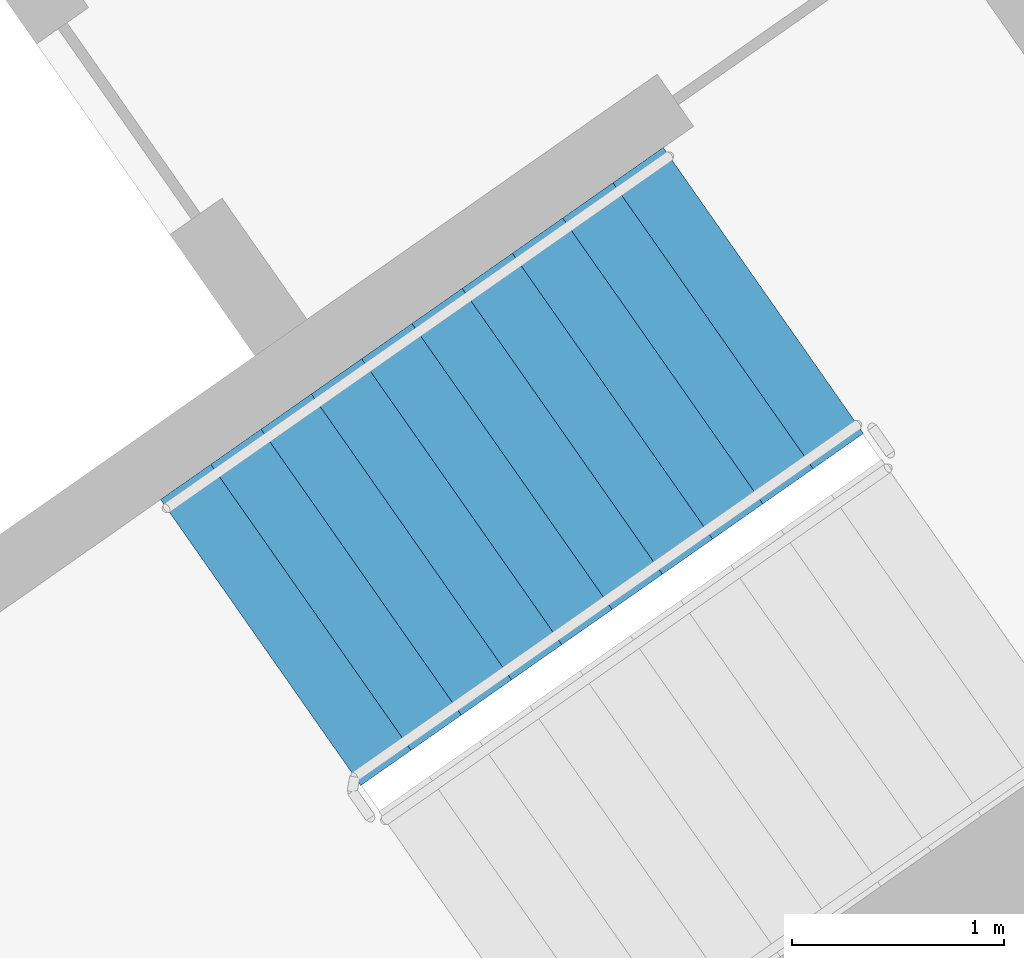
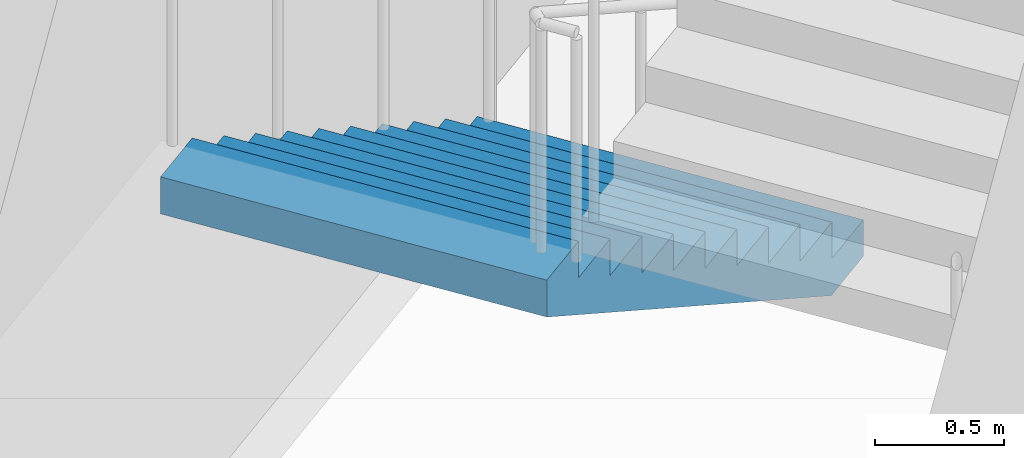
# One storey, part 17 of 29: 1 stair flight, 1 element without a shape of its own.
"""IFC4 building model written with IfcOpenShell, lengths in metres."""

from ifc_helpers import new_model, si_unit, direction, frame, origin, place, context, subcontext, project, spatial, faceted_brep, material, type_object, element, aggregate, save


model = new_model("IFC4")

# Units and contexts
model_context = context("Model", 3, precision=1e-05, world=origin(), true_north=direction((0.0, 1.0)))
body_context = subcontext(model_context, "Body", "Model", "MODEL_VIEW")
ifc_project = project(units=[si_unit("LENGTHUNIT", "METRE"), si_unit("AREAUNIT", "SQUARE_METRE"), si_unit("VOLUMEUNIT", "CUBIC_METRE"), si_unit("PLANEANGLEUNIT", "RADIAN"), si_unit("MASSUNIT", "GRAM", prefix="KILO")], contexts=[model_context])

# Site, building, storey
site_placement = place(None, origin())
site = spatial("IfcSite", under=ifc_project, at=site_placement, CompositionType="ELEMENT")
building_placement = place(site_placement, origin())
building = spatial("IfcBuilding", under=site, at=building_placement, Name="Qamariyya Broadcast Tower", CompositionType="ELEMENT")
storey_placement = place(building_placement, frame((0.0, 0.0, 106.300048828125)))
storey = spatial("IfcBuildingStorey", under=building, at=storey_placement, Name="L23", CompositionType="ELEMENT", Elevation=106.300048828125)

# Stair, stair flight
ifc_material = material(Name="Concrete C50/60", Category="concrete")
stair_type = type_object("IfcStairType", Name="Exit stair 22 risers of 173 mm", PredefinedType="HALF_TURN_STAIR", material=ifc_material)
stair_placement = place(storey_placement, origin())
stair = element("IfcStair", 1, at=stair_placement, inside=storey, type_object=stair_type, Name="L23 Stair E1", PredefinedType="HALF_TURN_STAIR")
stair_flight_type = type_object("IfcStairFlightType", Name="Exit stair flight 11 risers of 173 mm", PredefinedType="STRAIGHT", material=ifc_material)
stair_flight_placement = place(storey_placement, frame((46.036376953125, -55.508056640625, 0.0), z_axis=(0.0, 0.0, 1.0), x_axis=(-0.819152044289, -0.573576436351, 0.0)))
stair_flight = element("IfcStairFlight", 2, at=stair_flight_placement, type_object=stair_flight_type, Name="ST-E1 flight 1", NumberOfRisers=11, NumberOfTreads=10, PredefinedType="STRAIGHT", RiserHeight=0.172727273, TreadLength=0.29, context=body_context, shape_type="Brep", body=[
    faceted_brep([(0.0, 0.824951171875, 0.0), (0.0, 0.824951171875, 0.172607421875), (0.2900390625, 0.824951171875, 0.172607421875), (0.2900390625, 0.824951171875, 0.345458984375), (0.580078125, 0.824951171875, 0.345458984375), (0.580078125, 0.824951171875, 0.51806640625), (0.8701171875, 0.824951171875, 0.51806640625), (0.8701171875, 0.824951171875, 0.69091796875), (1.159912109375, 0.824951171875, 0.69091796875), (1.159912109375, 0.824951171875, 0.863525390625), (1.449951171875, 0.824951171875, 0.863525390625), (1.449951171875, 0.824951171875, 1.036376953125), (1.739990234375, 0.824951171875, 1.036376953125), (1.739990234375, 0.824951171875, 1.208984375), (2.030029296875, 0.824951171875, 1.208984375), (2.030029296875, 0.824951171875, 1.3818359375), (2.320068359375, 0.824951171875, 1.3818359375), (2.320068359375, 0.824951171875, 1.554443359375), (2.610107421875, 0.824951171875, 1.554443359375), (2.610107421875, 0.824951171875, 1.727294921875), (2.89990234375, 0.824951171875, 1.727294921875), (2.89990234375, 0.824951171875, 1.552734375), (0.29296875, 0.824951171875, 0.0), (0.29296875, -0.824951171875, 0.0), (2.89990234375, -0.824951171875, 1.552734375), (2.89990234375, -0.824951171875, 1.727294921875), (2.610107421875, -0.824951171875, 1.727294921875), (2.610107421875, -0.824951171875, 1.554443359375), (2.320068359375, -0.824951171875, 1.554443359375), (2.320068359375, -0.824951171875, 1.3818359375), (2.030029296875, -0.824951171875, 1.3818359375), (2.030029296875, -0.824951171875, 1.208984375), (1.739990234375, -0.824951171875, 1.208984375), (1.739990234375, -0.824951171875, 1.036376953125), (1.449951171875, -0.824951171875, 1.036376953125), (1.449951171875, -0.824951171875, 0.863525390625), (1.159912109375, -0.824951171875, 0.863525390625), (1.159912109375, -0.824951171875, 0.69091796875), (0.8701171875, -0.824951171875, 0.69091796875), (0.8701171875, -0.824951171875, 0.51806640625), (0.580078125, -0.824951171875, 0.51806640625), (0.580078125, -0.824951171875, 0.345458984375), (0.2900390625, -0.824951171875, 0.345458984375), (0.2900390625, -0.824951171875, 0.172607421875), (0.0, -0.824951171875, 0.172607421875), (0.0, -0.824951171875, 0.0), (0.0, 0.10009765625, 0.0), (0.0, 0.086669921875, 0.0), (0.0, 0.0732421875, 0.0), (0.0, 0.06005859375, 0.0), (0.0, 0.046630859375, 0.0), (0.0, 0.033447265625, 0.0), (0.0, 0.02001953125, 0.0), (0.0, 0.006591796875, 0.0), (0.0, -0.006591796875, 0.0), (0.0, -0.02001953125, 0.0), (0.0, -0.033447265625, 0.0), (0.0, -0.046630859375, 0.0), (0.0, -0.06005859375, 0.0), (0.0, -0.0732421875, 0.0), (0.0, -0.086669921875, 0.0), (0.0, -0.10009765625, 0.0), (0.0, -0.10009765625, 0.172607421875), (0.0, -0.086669921875, 0.172607421875), (0.0, -0.0732421875, 0.172607421875), (0.0, -0.06005859375, 0.172607421875), (0.0, -0.046630859375, 0.172607421875), (0.0, -0.033447265625, 0.172607421875), (0.0, -0.02001953125, 0.172607421875), (0.0, -0.006591796875, 0.172607421875), (0.0, 0.006591796875, 0.172607421875), (0.0, 0.02001953125, 0.172607421875), (0.0, 0.033447265625, 0.172607421875), (0.0, 0.046630859375, 0.172607421875), (0.0, 0.06005859375, 0.172607421875), (0.0, 0.0732421875, 0.172607421875), (0.0, 0.086669921875, 0.172607421875), (0.0, 0.10009765625, 0.172607421875), (0.2900390625, -0.10009765625, 0.172607421875), (0.2900390625, -0.086669921875, 0.172607421875), (0.2900390625, -0.0732421875, 0.172607421875), (0.2900390625, -0.06005859375, 0.172607421875), (0.2900390625, -0.046630859375, 0.172607421875), (0.2900390625, -0.033447265625, 0.172607421875), (0.2900390625, -0.02001953125, 0.172607421875), (0.2900390625, -0.006591796875, 0.172607421875), (0.2900390625, 0.006591796875, 0.172607421875), (0.2900390625, 0.02001953125, 0.172607421875), (0.2900390625, 0.033447265625, 0.172607421875), (0.2900390625, 0.046630859375, 0.172607421875), (0.2900390625, 0.06005859375, 0.172607421875), (0.2900390625, 0.0732421875, 0.172607421875), (0.2900390625, 0.086669921875, 0.172607421875), (0.2900390625, 0.10009765625, 0.172607421875), (0.2900390625, -0.10009765625, 0.345458984375), (0.2900390625, -0.086669921875, 0.345458984375), (0.2900390625, -0.0732421875, 0.345458984375), (0.2900390625, -0.06005859375, 0.345458984375), (0.2900390625, -0.046630859375, 0.345458984375), (0.2900390625, -0.033447265625, 0.345458984375), (0.2900390625, -0.02001953125, 0.345458984375), (0.2900390625, -0.006591796875, 0.345458984375), (0.2900390625, 0.006591796875, 0.345458984375), (0.2900390625, 0.02001953125, 0.345458984375), (0.2900390625, 0.033447265625, 0.345458984375), (0.2900390625, 0.046630859375, 0.345458984375), (0.2900390625, 0.06005859375, 0.345458984375), (0.2900390625, 0.0732421875, 0.345458984375), (0.2900390625, 0.086669921875, 0.345458984375), (0.2900390625, 0.10009765625, 0.345458984375), (0.580078125, -0.10009765625, 0.345458984375), (0.580078125, -0.086669921875, 0.345458984375), (0.580078125, -0.0732421875, 0.345458984375), (0.580078125, -0.06005859375, 0.345458984375), (0.580078125, -0.046630859375, 0.345458984375), (0.580078125, -0.033447265625, 0.345458984375), (0.580078125, -0.02001953125, 0.345458984375), (0.580078125, -0.006591796875, 0.345458984375), (0.580078125, 0.006591796875, 0.345458984375), (0.580078125, 0.02001953125, 0.345458984375), (0.580078125, 0.033447265625, 0.345458984375), (0.580078125, 0.046630859375, 0.345458984375), (0.580078125, 0.06005859375, 0.345458984375), (0.580078125, 0.0732421875, 0.345458984375), (0.580078125, 0.086669921875, 0.345458984375), (0.580078125, 0.10009765625, 0.345458984375), (0.580078125, -0.10009765625, 0.51806640625), (0.580078125, -0.086669921875, 0.51806640625), (0.580078125, -0.0732421875, 0.51806640625), (0.580078125, -0.06005859375, 0.51806640625), (0.580078125, -0.046630859375, 0.51806640625), (0.580078125, -0.033447265625, 0.51806640625), (0.580078125, -0.02001953125, 0.51806640625), (0.580078125, -0.006591796875, 0.51806640625), (0.580078125, 0.006591796875, 0.51806640625), (0.580078125, 0.02001953125, 0.51806640625), (0.580078125, 0.033447265625, 0.51806640625), (0.580078125, 0.046630859375, 0.51806640625), (0.580078125, 0.06005859375, 0.51806640625), (0.580078125, 0.0732421875, 0.51806640625), (0.580078125, 0.086669921875, 0.51806640625), (0.580078125, 0.10009765625, 0.51806640625), (0.8701171875, -0.10009765625, 0.51806640625), (0.8701171875, -0.086669921875, 0.51806640625), (0.8701171875, -0.0732421875, 0.51806640625), (0.8701171875, -0.06005859375, 0.51806640625), (0.8701171875, -0.046630859375, 0.51806640625), (0.8701171875, -0.033447265625, 0.51806640625), (0.8701171875, -0.02001953125, 0.51806640625), (0.8701171875, -0.006591796875, 0.51806640625), (0.8701171875, 0.006591796875, 0.51806640625), (0.8701171875, 0.02001953125, 0.51806640625), (0.8701171875, 0.033447265625, 0.51806640625), (0.8701171875, 0.046630859375, 0.51806640625), (0.8701171875, 0.06005859375, 0.51806640625), (0.8701171875, 0.0732421875, 0.51806640625), (0.8701171875, 0.086669921875, 0.51806640625), (0.8701171875, 0.10009765625, 0.51806640625), (0.8701171875, -0.10009765625, 0.69091796875), (0.8701171875, -0.086669921875, 0.69091796875), (0.8701171875, -0.0732421875, 0.69091796875), (0.8701171875, -0.06005859375, 0.69091796875), (0.8701171875, -0.046630859375, 0.69091796875), (0.8701171875, -0.033447265625, 0.69091796875), (0.8701171875, -0.02001953125, 0.69091796875), (0.8701171875, -0.006591796875, 0.69091796875), (0.8701171875, 0.006591796875, 0.69091796875), (0.8701171875, 0.02001953125, 0.69091796875), (0.8701171875, 0.033447265625, 0.69091796875), (0.8701171875, 0.046630859375, 0.69091796875), (0.8701171875, 0.06005859375, 0.69091796875), (0.8701171875, 0.0732421875, 0.69091796875), (0.8701171875, 0.086669921875, 0.69091796875), (0.8701171875, 0.10009765625, 0.69091796875), (1.159912109375, -0.10009765625, 0.69091796875), (1.159912109375, -0.086669921875, 0.69091796875), (1.159912109375, -0.0732421875, 0.69091796875), (1.159912109375, -0.06005859375, 0.69091796875), (1.159912109375, -0.046630859375, 0.69091796875), (1.159912109375, -0.033447265625, 0.69091796875), (1.159912109375, -0.02001953125, 0.69091796875), (1.159912109375, -0.006591796875, 0.69091796875), (1.159912109375, 0.006591796875, 0.69091796875), (1.159912109375, 0.02001953125, 0.69091796875), (1.159912109375, 0.033447265625, 0.69091796875), (1.159912109375, 0.046630859375, 0.69091796875), (1.159912109375, 0.06005859375, 0.69091796875), (1.159912109375, 0.0732421875, 0.69091796875), (1.159912109375, 0.086669921875, 0.69091796875), (1.159912109375, 0.10009765625, 0.69091796875), (1.159912109375, -0.10009765625, 0.863525390625), (1.159912109375, -0.086669921875, 0.863525390625), (1.159912109375, -0.0732421875, 0.863525390625), (1.159912109375, -0.06005859375, 0.863525390625), (1.159912109375, -0.046630859375, 0.863525390625), (1.159912109375, -0.033447265625, 0.863525390625), (1.159912109375, -0.02001953125, 0.863525390625), (1.159912109375, -0.006591796875, 0.863525390625), (1.159912109375, 0.006591796875, 0.863525390625), (1.159912109375, 0.02001953125, 0.863525390625), (1.159912109375, 0.033447265625, 0.863525390625), (1.159912109375, 0.046630859375, 0.863525390625), (1.159912109375, 0.06005859375, 0.863525390625), (1.159912109375, 0.0732421875, 0.863525390625), (1.159912109375, 0.086669921875, 0.863525390625), (1.159912109375, 0.10009765625, 0.863525390625), (1.449951171875, -0.10009765625, 0.863525390625), (1.449951171875, -0.086669921875, 0.863525390625), (1.449951171875, -0.0732421875, 0.863525390625), (1.449951171875, -0.06005859375, 0.863525390625), (1.449951171875, -0.046630859375, 0.863525390625), (1.449951171875, -0.033447265625, 0.863525390625), (1.449951171875, -0.02001953125, 0.863525390625), (1.449951171875, -0.006591796875, 0.863525390625), (1.449951171875, 0.006591796875, 0.863525390625), (1.449951171875, 0.02001953125, 0.863525390625), (1.449951171875, 0.033447265625, 0.863525390625), (1.449951171875, 0.046630859375, 0.863525390625), (1.449951171875, 0.06005859375, 0.863525390625), (1.449951171875, 0.0732421875, 0.863525390625), (1.449951171875, 0.086669921875, 0.863525390625), (1.449951171875, 0.10009765625, 0.863525390625), (1.449951171875, -0.10009765625, 1.036376953125), (1.449951171875, -0.086669921875, 1.036376953125), (1.449951171875, -0.0732421875, 1.036376953125), (1.449951171875, -0.06005859375, 1.036376953125), (1.449951171875, -0.046630859375, 1.036376953125), (1.449951171875, -0.033447265625, 1.036376953125), (1.449951171875, -0.02001953125, 1.036376953125), (1.449951171875, -0.006591796875, 1.036376953125), (1.449951171875, 0.006591796875, 1.036376953125), (1.449951171875, 0.02001953125, 1.036376953125), (1.449951171875, 0.033447265625, 1.036376953125), (1.449951171875, 0.046630859375, 1.036376953125), (1.449951171875, 0.06005859375, 1.036376953125), (1.449951171875, 0.0732421875, 1.036376953125), (1.449951171875, 0.086669921875, 1.036376953125), (1.449951171875, 0.10009765625, 1.036376953125), (1.739990234375, -0.10009765625, 1.036376953125), (1.739990234375, -0.086669921875, 1.036376953125), (1.739990234375, -0.0732421875, 1.036376953125), (1.739990234375, -0.06005859375, 1.036376953125), (1.739990234375, -0.046630859375, 1.036376953125), (1.739990234375, -0.033447265625, 1.036376953125), (1.739990234375, -0.02001953125, 1.036376953125), (1.739990234375, -0.006591796875, 1.036376953125), (1.739990234375, 0.006591796875, 1.036376953125), (1.739990234375, 0.02001953125, 1.036376953125), (1.739990234375, 0.033447265625, 1.036376953125), (1.739990234375, 0.046630859375, 1.036376953125), (1.739990234375, 0.06005859375, 1.036376953125), (1.739990234375, 0.0732421875, 1.036376953125), (1.739990234375, 0.086669921875, 1.036376953125), (1.739990234375, 0.10009765625, 1.036376953125), (1.739990234375, -0.10009765625, 1.208984375), (1.739990234375, -0.086669921875, 1.208984375), (1.739990234375, -0.0732421875, 1.208984375), (1.739990234375, -0.06005859375, 1.208984375), (1.739990234375, -0.046630859375, 1.208984375), (1.739990234375, -0.033447265625, 1.208984375), (1.739990234375, -0.02001953125, 1.208984375), (1.739990234375, -0.006591796875, 1.208984375), (1.739990234375, 0.006591796875, 1.208984375), (1.739990234375, 0.02001953125, 1.208984375), (1.739990234375, 0.033447265625, 1.208984375), (1.739990234375, 0.046630859375, 1.208984375), (1.739990234375, 0.06005859375, 1.208984375), (1.739990234375, 0.0732421875, 1.208984375), (1.739990234375, 0.086669921875, 1.208984375), (1.739990234375, 0.10009765625, 1.208984375), (2.030029296875, -0.10009765625, 1.208984375), (2.030029296875, -0.086669921875, 1.208984375), (2.030029296875, -0.0732421875, 1.208984375), (2.030029296875, -0.06005859375, 1.208984375), (2.030029296875, -0.046630859375, 1.208984375), (2.030029296875, -0.033447265625, 1.208984375), (2.030029296875, -0.02001953125, 1.208984375), (2.030029296875, -0.006591796875, 1.208984375), (2.030029296875, 0.006591796875, 1.208984375), (2.030029296875, 0.02001953125, 1.208984375), (2.030029296875, 0.033447265625, 1.208984375), (2.030029296875, 0.046630859375, 1.208984375), (2.030029296875, 0.06005859375, 1.208984375), (2.030029296875, 0.0732421875, 1.208984375), (2.030029296875, 0.086669921875, 1.208984375), (2.030029296875, 0.10009765625, 1.208984375), (2.030029296875, -0.10009765625, 1.3818359375), (2.030029296875, -0.086669921875, 1.3818359375), (2.030029296875, -0.0732421875, 1.3818359375), (2.030029296875, -0.06005859375, 1.3818359375), (2.030029296875, -0.046630859375, 1.3818359375), (2.030029296875, -0.033447265625, 1.3818359375), (2.030029296875, -0.02001953125, 1.3818359375), (2.030029296875, -0.006591796875, 1.3818359375), (2.030029296875, 0.006591796875, 1.3818359375), (2.030029296875, 0.02001953125, 1.3818359375), (2.030029296875, 0.033447265625, 1.3818359375), (2.030029296875, 0.046630859375, 1.3818359375), (2.030029296875, 0.06005859375, 1.3818359375), (2.030029296875, 0.0732421875, 1.3818359375), (2.030029296875, 0.086669921875, 1.3818359375), (2.030029296875, 0.10009765625, 1.3818359375), (2.320068359375, -0.10009765625, 1.3818359375), (2.320068359375, -0.086669921875, 1.3818359375), (2.320068359375, -0.0732421875, 1.3818359375), (2.320068359375, -0.06005859375, 1.3818359375), (2.320068359375, -0.046630859375, 1.3818359375), (2.320068359375, -0.033447265625, 1.3818359375), (2.320068359375, -0.02001953125, 1.3818359375), (2.320068359375, -0.006591796875, 1.3818359375), (2.320068359375, 0.006591796875, 1.3818359375), (2.320068359375, 0.02001953125, 1.3818359375), (2.320068359375, 0.033447265625, 1.3818359375), (2.320068359375, 0.046630859375, 1.3818359375), (2.320068359375, 0.06005859375, 1.3818359375), (2.320068359375, 0.0732421875, 1.3818359375), (2.320068359375, 0.086669921875, 1.3818359375), (2.320068359375, 0.10009765625, 1.3818359375), (2.320068359375, -0.10009765625, 1.554443359375), (2.320068359375, -0.086669921875, 1.554443359375), (2.320068359375, -0.0732421875, 1.554443359375), (2.320068359375, -0.06005859375, 1.554443359375), (2.320068359375, -0.046630859375, 1.554443359375), (2.320068359375, -0.033447265625, 1.554443359375), (2.320068359375, -0.02001953125, 1.554443359375), (2.320068359375, -0.006591796875, 1.554443359375), (2.320068359375, 0.006591796875, 1.554443359375), (2.320068359375, 0.02001953125, 1.554443359375), (2.320068359375, 0.033447265625, 1.554443359375), (2.320068359375, 0.046630859375, 1.554443359375), (2.320068359375, 0.06005859375, 1.554443359375), (2.320068359375, 0.0732421875, 1.554443359375), (2.320068359375, 0.086669921875, 1.554443359375), (2.320068359375, 0.10009765625, 1.554443359375), (2.610107421875, -0.10009765625, 1.554443359375), (2.610107421875, -0.086669921875, 1.554443359375), (2.610107421875, -0.0732421875, 1.554443359375), (2.610107421875, -0.06005859375, 1.554443359375), (2.610107421875, -0.046630859375, 1.554443359375), (2.610107421875, -0.033447265625, 1.554443359375), (2.610107421875, -0.02001953125, 1.554443359375), (2.610107421875, -0.006591796875, 1.554443359375), (2.610107421875, 0.006591796875, 1.554443359375), (2.610107421875, 0.02001953125, 1.554443359375), (2.610107421875, 0.033447265625, 1.554443359375), (2.610107421875, 0.046630859375, 1.554443359375), (2.610107421875, 0.06005859375, 1.554443359375), (2.610107421875, 0.0732421875, 1.554443359375), (2.610107421875, 0.086669921875, 1.554443359375), (2.610107421875, 0.10009765625, 1.554443359375), (2.610107421875, -0.10009765625, 1.727294921875), (2.610107421875, -0.086669921875, 1.727294921875), (2.610107421875, -0.0732421875, 1.727294921875), (2.610107421875, -0.06005859375, 1.727294921875), (2.610107421875, -0.046630859375, 1.727294921875), (2.610107421875, -0.033447265625, 1.727294921875), (2.610107421875, -0.02001953125, 1.727294921875), (2.610107421875, -0.006591796875, 1.727294921875), (2.610107421875, 0.006591796875, 1.727294921875), (2.610107421875, 0.02001953125, 1.727294921875), (2.610107421875, 0.033447265625, 1.727294921875), (2.610107421875, 0.046630859375, 1.727294921875), (2.610107421875, 0.06005859375, 1.727294921875), (2.610107421875, 0.0732421875, 1.727294921875), (2.610107421875, 0.086669921875, 1.727294921875), (2.610107421875, 0.10009765625, 1.727294921875), (2.89990234375, -0.10009765625, 1.727294921875), (2.89990234375, -0.086669921875, 1.727294921875), (2.89990234375, -0.0732421875, 1.727294921875), (2.89990234375, -0.06005859375, 1.727294921875), (2.89990234375, -0.046630859375, 1.727294921875), (2.89990234375, -0.033447265625, 1.727294921875), (2.89990234375, -0.02001953125, 1.727294921875), (2.89990234375, -0.006591796875, 1.727294921875), (2.89990234375, 0.006591796875, 1.727294921875), (2.89990234375, 0.02001953125, 1.727294921875), (2.89990234375, 0.033447265625, 1.727294921875), (2.89990234375, 0.046630859375, 1.727294921875), (2.89990234375, 0.06005859375, 1.727294921875), (2.89990234375, 0.0732421875, 1.727294921875), (2.89990234375, 0.086669921875, 1.727294921875), (2.89990234375, 0.10009765625, 1.727294921875), (2.89990234375, -0.10009765625, 1.552734375), (2.89990234375, -0.086669921875, 1.552734375), (2.89990234375, -0.0732421875, 1.552734375), (2.89990234375, -0.06005859375, 1.552734375), (2.89990234375, -0.046630859375, 1.552734375), (2.89990234375, -0.033447265625, 1.552734375), (2.89990234375, -0.02001953125, 1.552734375), (2.89990234375, -0.006591796875, 1.552734375), (2.89990234375, 0.006591796875, 1.552734375), (2.89990234375, 0.02001953125, 1.552734375), (2.89990234375, 0.033447265625, 1.552734375), (2.89990234375, 0.046630859375, 1.552734375), (2.89990234375, 0.06005859375, 1.552734375), (2.89990234375, 0.0732421875, 1.552734375), (2.89990234375, 0.086669921875, 1.552734375), (2.89990234375, 0.10009765625, 1.552734375), (0.29296875, -0.10009765625, 0.0), (0.29296875, -0.086669921875, 0.0), (0.29296875, -0.0732421875, 0.0), (0.29296875, -0.06005859375, 0.0), (0.29296875, -0.046630859375, 0.0), (0.29296875, -0.033447265625, 0.0), (0.29296875, -0.02001953125, 0.0), (0.29296875, -0.006591796875, 0.0), (0.29296875, 0.006591796875, 0.0), (0.29296875, 0.02001953125, 0.0), (0.29296875, 0.033447265625, 0.0), (0.29296875, 0.046630859375, 0.0), (0.29296875, 0.06005859375, 0.0), (0.29296875, 0.0732421875, 0.0), (0.29296875, 0.086669921875, 0.0), (0.29296875, 0.10009765625, 0.0)], [[[0, 1, 2, 3, 4, 5, 6, 7, 8, 9, 10, 11, 12, 13, 14, 15, 16, 17, 18, 19, 20, 21, 22]], [[23, 24, 25, 26, 27, 28, 29, 30, 31, 32, 33, 34, 35, 36, 37, 38, 39, 40, 41, 42, 43, 44, 45]], [[0, 46, 47, 48, 49, 50, 51, 52, 53, 54, 55, 56, 57, 58, 59, 60, 61, 45, 44, 62, 63, 64, 65, 66, 67, 68, 69, 70, 71, 72, 73, 74, 75, 76, 77, 1]], [[1, 77, 76, 75, 74, 73, 72, 71, 70, 69, 68, 67, 66, 65, 64, 63, 62, 44, 43, 78, 79, 80, 81, 82, 83, 84, 85, 86, 87, 88, 89, 90, 91, 92, 93, 2]], [[2, 93, 92, 91, 90, 89, 88, 87, 86, 85, 84, 83, 82, 81, 80, 79, 78, 43, 42, 94, 95, 96, 97, 98, 99, 100, 101, 102, 103, 104, 105, 106, 107, 108, 109, 3]], [[3, 109, 108, 107, 106, 105, 104, 103, 102, 101, 100, 99, 98, 97, 96, 95, 94, 42, 41, 110, 111, 112, 113, 114, 115, 116, 117, 118, 119, 120, 121, 122, 123, 124, 125, 4]], [[4, 125, 124, 123, 122, 121, 120, 119, 118, 117, 116, 115, 114, 113, 112, 111, 110, 41, 40, 126, 127, 128, 129, 130, 131, 132, 133, 134, 135, 136, 137, 138, 139, 140, 141, 5]], [[5, 141, 140, 139, 138, 137, 136, 135, 134, 133, 132, 131, 130, 129, 128, 127, 126, 40, 39, 142, 143, 144, 145, 146, 147, 148, 149, 150, 151, 152, 153, 154, 155, 156, 157, 6]], [[6, 157, 156, 155, 154, 153, 152, 151, 150, 149, 148, 147, 146, 145, 144, 143, 142, 39, 38, 158, 159, 160, 161, 162, 163, 164, 165, 166, 167, 168, 169, 170, 171, 172, 173, 7]], [[7, 173, 172, 171, 170, 169, 168, 167, 166, 165, 164, 163, 162, 161, 160, 159, 158, 38, 37, 174, 175, 176, 177, 178, 179, 180, 181, 182, 183, 184, 185, 186, 187, 188, 189, 8]], [[8, 189, 188, 187, 186, 185, 184, 183, 182, 181, 180, 179, 178, 177, 176, 175, 174, 37, 36, 190, 191, 192, 193, 194, 195, 196, 197, 198, 199, 200, 201, 202, 203, 204, 205, 9]], [[9, 205, 204, 203, 202, 201, 200, 199, 198, 197, 196, 195, 194, 193, 192, 191, 190, 36, 35, 206, 207, 208, 209, 210, 211, 212, 213, 214, 215, 216, 217, 218, 219, 220, 221, 10]], [[10, 221, 220, 219, 218, 217, 216, 215, 214, 213, 212, 211, 210, 209, 208, 207, 206, 35, 34, 222, 223, 224, 225, 226, 227, 228, 229, 230, 231, 232, 233, 234, 235, 236, 237, 11]], [[11, 237, 236, 235, 234, 233, 232, 231, 230, 229, 228, 227, 226, 225, 224, 223, 222, 34, 33, 238, 239, 240, 241, 242, 243, 244, 245, 246, 247, 248, 249, 250, 251, 252, 253, 12]], [[12, 253, 252, 251, 250, 249, 248, 247, 246, 245, 244, 243, 242, 241, 240, 239, 238, 33, 32, 254, 255, 256, 257, 258, 259, 260, 261, 262, 263, 264, 265, 266, 267, 268, 269, 13]], [[13, 269, 268, 267, 266, 265, 264, 263, 262, 261, 260, 259, 258, 257, 256, 255, 254, 32, 31, 270, 271, 272, 273, 274, 275, 276, 277, 278, 279, 280, 281, 282, 283, 284, 285, 14]], [[14, 285, 284, 283, 282, 281, 280, 279, 278, 277, 276, 275, 274, 273, 272, 271, 270, 31, 30, 286, 287, 288, 289, 290, 291, 292, 293, 294, 295, 296, 297, 298, 299, 300, 301, 15]], [[15, 301, 300, 299, 298, 297, 296, 295, 294, 293, 292, 291, 290, 289, 288, 287, 286, 30, 29, 302, 303, 304, 305, 306, 307, 308, 309, 310, 311, 312, 313, 314, 315, 316, 317, 16]], [[16, 317, 316, 315, 314, 313, 312, 311, 310, 309, 308, 307, 306, 305, 304, 303, 302, 29, 28, 318, 319, 320, 321, 322, 323, 324, 325, 326, 327, 328, 329, 330, 331, 332, 333, 17]], [[17, 333, 332, 331, 330, 329, 328, 327, 326, 325, 324, 323, 322, 321, 320, 319, 318, 28, 27, 334, 335, 336, 337, 338, 339, 340, 341, 342, 343, 344, 345, 346, 347, 348, 349, 18]], [[18, 349, 348, 347, 346, 345, 344, 343, 342, 341, 340, 339, 338, 337, 336, 335, 334, 27, 26, 350, 351, 352, 353, 354, 355, 356, 357, 358, 359, 360, 361, 362, 363, 364, 365, 19]], [[19, 365, 364, 363, 362, 361, 360, 359, 358, 357, 356, 355, 354, 353, 352, 351, 350, 26, 25, 366, 367, 368, 369, 370, 371, 372, 373, 374, 375, 376, 377, 378, 379, 380, 381, 20]], [[20, 381, 380, 379, 378, 377, 376, 375, 374, 373, 372, 371, 370, 369, 368, 367, 366, 25, 24, 382, 383, 384, 385, 386, 387, 388, 389, 390, 391, 392, 393, 394, 395, 396, 397, 21]], [[21, 397, 396, 395, 394, 393, 392, 391, 390, 389, 388, 387, 386, 385, 384, 383, 382, 24, 23, 398, 399, 400, 401, 402, 403, 404, 405, 406, 407, 408, 409, 410, 411, 412, 413, 22]], [[22, 413, 412, 411, 410, 409, 408, 407, 406, 405, 404, 403, 402, 401, 400, 399, 398, 23, 45, 61, 60, 59, 58, 57, 56, 55, 54, 53, 52, 51, 50, 49, 48, 47, 46, 0]]]),
])
aggregate(stair, [stair_flight])

save(model, "model.ifc")
